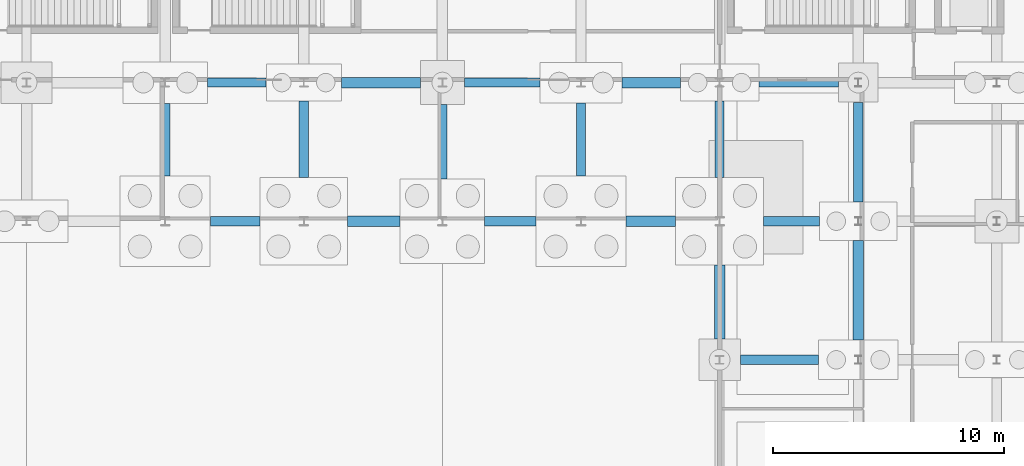
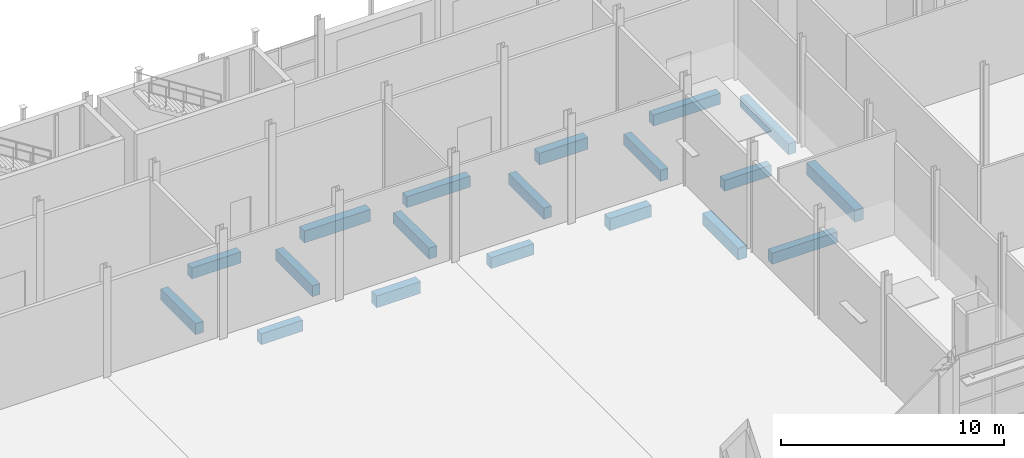
# One storey, part 46 of 120: 19 beams.
"""IFC4 building model written with IfcOpenShell, lengths in metres."""

from ifc_helpers import new_model, si_unit, direction, frame, origin, origin_2d, place, context, subcontext, project, spatial, rectangle, extrude, material, material_profile, profile_set, type_object, element, save


model = new_model("IFC4")

# Units and contexts
model_context = context("Model", 3, precision=1e-05, world=origin(), true_north=direction((0.0, 1.0)))
body_context = subcontext(model_context, "Body", "Model", "MODEL_VIEW")
ifc_project = project(units=[si_unit("LENGTHUNIT", "METRE"), si_unit("AREAUNIT", "SQUARE_METRE"), si_unit("VOLUMEUNIT", "CUBIC_METRE"), si_unit("PLANEANGLEUNIT", "RADIAN"), si_unit("MASSUNIT", "GRAM", prefix="KILO")], contexts=[model_context])

# Site, building, storey
site_placement = place(None, origin())
site = spatial("IfcSite", under=ifc_project, at=site_placement, CompositionType="ELEMENT")
building_placement = place(site_placement, origin())
building = spatial("IfcBuilding", under=site, at=building_placement, Name="Siltcreek Boulevard Central Fire Station", CompositionType="ELEMENT")
storey_placement = place(building_placement, origin())
storey = spatial("IfcBuildingStorey", under=building, at=storey_placement, Name="L01", CompositionType="ELEMENT", Elevation=0.0)

# Beams
ifc_material = material(Name="Concrete C35/45", Category="concrete")
ifc_material_profile_1 = material_profile(ifc_material, rectangle(XDim=0.39990234375, YDim=0.60009765625, at=origin_2d()), Name="RC400X600")
ifc_profile_set_1 = profile_set([ifc_material_profile_1], Name="Concrete C35/45")
beam_type_1 = type_object("IfcBeamType", Name="GB_RC400X600", PredefinedType="USERDEFINED", material=ifc_profile_set_1)
beam_1_placement = place(storey_placement, frame((90.902099609375, 36.0, -0.7099609375), z_axis=(1.0, 0.0, 0.0), x_axis=(0.0, 1.0, 0.0)))
element("IfcBeam", 1, at=beam_1_placement, inside=storey, type_object=beam_type_1, Name="Reinforced concrete tie grade beam GB-083", ObjectType="GRADE BEAM", PredefinedType="USERDEFINED", context=body_context, shape_type="SweptSolid", body=[
    extrude(rectangle(XDim=0.39990234375, YDim=0.60009765625, at=origin_2d()), origin(), (0.0, 0.0, 1.0), 3.370849609375),
])
beam_2_placement = place(storey_placement, frame((67.951904296875, 42.0, -0.7099609375), z_axis=(1.0, 0.0, 0.0), x_axis=(0.0, 1.0, 0.0)))
element("IfcBeam", 2, at=beam_2_placement, inside=storey, type_object=beam_type_1, Name="Reinforced concrete tie grade beam GB-097", ObjectType="GRADE BEAM", PredefinedType="USERDEFINED", context=body_context, shape_type="SweptSolid", body=[
    extrude(rectangle(XDim=0.39990234375, YDim=0.60009765625, at=origin_2d()), origin(), (0.0, 0.0, 1.0), 2.14599609375),
])
beam_3_placement = place(storey_placement, frame((79.826904296875, 42.0, -0.7099609375), z_axis=(1.0, 0.0, 0.0), x_axis=(0.0, 1.0, 0.0)))
element("IfcBeam", 3, at=beam_3_placement, inside=storey, type_object=beam_type_1, Name="Reinforced concrete tie grade beam GB-099", ObjectType="GRADE BEAM", PredefinedType="USERDEFINED", context=body_context, shape_type="SweptSolid", body=[
    extrude(rectangle(XDim=0.39990234375, YDim=0.60009765625, at=origin_2d()), origin(), (0.0, 0.0, 1.0), 2.22119140625),
])
beam_4_placement = place(storey_placement, frame((91.902099609375, 42.0, -0.7099609375), z_axis=(1.0, 0.0, 0.0), x_axis=(0.0, 1.0, 0.0)))
element("IfcBeam", 4, at=beam_4_placement, inside=storey, type_object=beam_type_1, Name="Reinforced concrete tie grade beam GB-101", ObjectType="GRADE BEAM", PredefinedType="USERDEFINED", context=body_context, shape_type="SweptSolid", body=[
    extrude(rectangle(XDim=0.39990234375, YDim=0.60009765625, at=origin_2d()), origin(), (0.0, 0.0, 1.0), 2.4208984375),
])
beam_5_placement = place(storey_placement, frame((67.826904296875, 48.0, -0.7099609375), z_axis=(1.0, 0.0, 0.0), x_axis=(0.0, 1.0, 0.0)))
element("IfcBeam", 5, at=beam_5_placement, inside=storey, type_object=beam_type_1, Name="Reinforced concrete tie grade beam GB-115", ObjectType="GRADE BEAM", PredefinedType="USERDEFINED", context=body_context, shape_type="SweptSolid", body=[
    extrude(rectangle(XDim=0.39990234375, YDim=0.60009765625, at=origin_2d()), origin(), (0.0, 0.0, 1.0), 2.546142578125),
])
beam_6_placement = place(storey_placement, frame((78.951904296875, 48.0, -0.7099609375), z_axis=(1.0, 0.0, 0.0), x_axis=(0.0, 1.0, 0.0)))
element("IfcBeam", 6, at=beam_6_placement, inside=storey, type_object=beam_type_1, Name="Reinforced concrete tie grade beam GB-117", ObjectType="GRADE BEAM", PredefinedType="USERDEFINED", context=body_context, shape_type="SweptSolid", body=[
    extrude(rectangle(XDim=0.39990234375, YDim=0.60009765625, at=origin_2d()), origin(), (0.0, 0.0, 1.0), 3.27099609375),
])
beam_7_placement = place(storey_placement, frame((91.701904296875, 48.0, -0.7099609375), z_axis=(1.0, 0.0, 0.0), x_axis=(0.0, 1.0, 0.0)))
element("IfcBeam", 7, at=beam_7_placement, inside=storey, type_object=beam_type_1, Name="Reinforced concrete tie grade beam GB-119", ObjectType="GRADE BEAM", PredefinedType="USERDEFINED", context=body_context, shape_type="SweptSolid", body=[
    extrude(rectangle(XDim=0.39990234375, YDim=0.60009765625, at=origin_2d()), origin(), (0.0, 0.0, 1.0), 3.446044921875),
])
beam_8_placement = place(storey_placement, frame((66.0, 43.951904296875, -0.7099609375), z_axis=(0.0, 1.0, 0.0), x_axis=(-1.0, 0.0, 0.0)))
element("IfcBeam", 8, at=beam_8_placement, inside=storey, type_object=beam_type_1, Name="Reinforced concrete tie grade beam GB-177", ObjectType="GRADE BEAM", PredefinedType="USERDEFINED", context=body_context, shape_type="SweptSolid", body=[
    extrude(rectangle(XDim=0.39990234375, YDim=0.60009765625, at=origin_2d()), origin(), (0.0, 0.0, 1.0), 3.14599609375),
])
beam_9_placement = place(storey_placement, frame((72.0, 43.902099609375, -0.7099609375), z_axis=(0.0, 1.0, 0.0), x_axis=(-1.0, 0.0, 0.0)))
element("IfcBeam", 9, at=beam_9_placement, inside=storey, type_object=beam_type_1, Name="Reinforced concrete tie grade beam GB-179", ObjectType="GRADE BEAM", PredefinedType="USERDEFINED", context=body_context, shape_type="SweptSolid", body=[
    extrude(rectangle(XDim=0.39990234375, YDim=0.60009765625, at=origin_2d()), origin(), (0.0, 0.0, 1.0), 3.2958984375),
])
beam_10_placement = place(storey_placement, frame((78.0, 43.826904296875, -0.7099609375), z_axis=(0.0, 1.0, 0.0), x_axis=(-1.0, 0.0, 0.0)))
element("IfcBeam", 10, at=beam_10_placement, inside=storey, type_object=beam_type_1, Name="Reinforced concrete tie grade beam GB-181", ObjectType="GRADE BEAM", PredefinedType="USERDEFINED", context=body_context, shape_type="SweptSolid", body=[
    extrude(rectangle(XDim=0.39990234375, YDim=0.60009765625, at=origin_2d()), origin(), (0.0, 0.0, 1.0), 3.22119140625),
])
beam_11_placement = place(storey_placement, frame((84.0, 43.951904296875, -0.7099609375), z_axis=(0.0, 1.0, 0.0), x_axis=(-1.0, 0.0, 0.0)))
element("IfcBeam", 11, at=beam_11_placement, inside=storey, type_object=beam_type_1, Name="Reinforced concrete tie grade beam GB-183", ObjectType="GRADE BEAM", PredefinedType="USERDEFINED", context=body_context, shape_type="SweptSolid", body=[
    extrude(rectangle(XDim=0.39990234375, YDim=0.60009765625, at=origin_2d()), origin(), (0.0, 0.0, 1.0), 3.171142578125),
])
beam_12_placement = place(storey_placement, frame((90.0, 43.902099609375, -0.7099609375), z_axis=(0.0, 1.0, 0.0), x_axis=(-1.0, 0.0, 0.0)))
element("IfcBeam", 12, at=beam_12_placement, inside=storey, type_object=beam_type_1, Name="Reinforced concrete tie grade beam GB-189", ObjectType="GRADE BEAM", PredefinedType="USERDEFINED", context=body_context, shape_type="SweptSolid", body=[
    extrude(rectangle(XDim=0.39990234375, YDim=0.60009765625, at=origin_2d()), origin(), (0.0, 0.0, 1.0), 3.2958984375),
])
beam_13_placement = place(storey_placement, frame((96.0, 42.826904296875, -0.7099609375), z_axis=(0.0, 1.0, 0.0), x_axis=(-1.0, 0.0, 0.0)))
element("IfcBeam", 13, at=beam_13_placement, inside=storey, type_object=beam_type_1, Name="Reinforced concrete tie grade beam GB-195", ObjectType="GRADE BEAM", PredefinedType="USERDEFINED", context=body_context, shape_type="SweptSolid", body=[
    extrude(rectangle(XDim=0.39990234375, YDim=0.60009765625, at=origin_2d()), origin(), (0.0, 0.0, 1.0), 4.321044921875),
])
ifc_material_profile_2 = material_profile(ifc_material, rectangle(XDim=0.449951171875, YDim=0.64990234375, at=origin_2d()), Name="RC450X650")
ifc_profile_set_2 = profile_set([ifc_material_profile_2], Name="Concrete C35/45")
beam_type_2 = type_object("IfcBeamType", Name="GB_RC450X650", PredefinedType="USERDEFINED", material=ifc_profile_set_2)
beam_14_placement = place(storey_placement, frame((73.902099609375, 42.0, -0.735107421875), z_axis=(1.0, 0.0, 0.0), x_axis=(0.0, 1.0, 0.0)))
element("IfcBeam", 14, at=beam_14_placement, inside=storey, type_object=beam_type_2, Name="Reinforced concrete tie grade beam GB-098", ObjectType="GRADE BEAM", PredefinedType="USERDEFINED", context=body_context, shape_type="SweptSolid", body=[
    extrude(rectangle(XDim=0.449951171875, YDim=0.64990234375, at=origin_2d()), origin(), (0.0, 0.0, 1.0), 2.27099609375),
])
beam_15_placement = place(storey_placement, frame((85.951904296875, 42.0, -0.735107421875), z_axis=(1.0, 0.0, 0.0), x_axis=(0.0, 1.0, 0.0)))
element("IfcBeam", 15, at=beam_15_placement, inside=storey, type_object=beam_type_2, Name="Reinforced concrete tie grade beam GB-100", ObjectType="GRADE BEAM", PredefinedType="USERDEFINED", context=body_context, shape_type="SweptSolid", body=[
    extrude(rectangle(XDim=0.449951171875, YDim=0.64990234375, at=origin_2d()), origin(), (0.0, 0.0, 1.0), 2.14599609375),
])
beam_16_placement = place(storey_placement, frame((73.626953125, 48.0, -0.735107421875), z_axis=(1.0, 0.0, 0.0), x_axis=(0.0, 1.0, 0.0)))
element("IfcBeam", 16, at=beam_16_placement, inside=storey, type_object=beam_type_2, Name="Reinforced concrete tie grade beam GB-116", ObjectType="GRADE BEAM", PredefinedType="USERDEFINED", context=body_context, shape_type="SweptSolid", body=[
    extrude(rectangle(XDim=0.449951171875, YDim=0.64990234375, at=origin_2d()), origin(), (0.0, 0.0, 1.0), 3.421142578125),
])
beam_17_placement = place(storey_placement, frame((85.777099609375, 48.0, -0.735107421875), z_axis=(1.0, 0.0, 0.0), x_axis=(0.0, 1.0, 0.0)))
element("IfcBeam", 17, at=beam_17_placement, inside=storey, type_object=beam_type_2, Name="Reinforced concrete tie grade beam GB-118", ObjectType="GRADE BEAM", PredefinedType="USERDEFINED", context=body_context, shape_type="SweptSolid", body=[
    extrude(rectangle(XDim=0.449951171875, YDim=0.64990234375, at=origin_2d()), origin(), (0.0, 0.0, 1.0), 2.52099609375),
])
beam_18_placement = place(storey_placement, frame((90.0, 36.902099609375, -0.735107421875), z_axis=(0.0, 1.0, 0.0), x_axis=(-1.0, 0.0, 0.0)))
element("IfcBeam", 18, at=beam_18_placement, inside=storey, type_object=beam_type_2, Name="Reinforced concrete tie grade beam GB-188", ObjectType="GRADE BEAM", PredefinedType="USERDEFINED", context=body_context, shape_type="SweptSolid", body=[
    extrude(rectangle(XDim=0.449951171875, YDim=0.64990234375, at=origin_2d()), origin(), (0.0, 0.0, 1.0), 3.19580078125),
])
beam_19_placement = place(storey_placement, frame((96.0, 36.85205078125, -0.735107421875), z_axis=(0.0, 1.0, 0.0), x_axis=(-1.0, 0.0, 0.0)))
element("IfcBeam", 19, at=beam_19_placement, inside=storey, type_object=beam_type_2, Name="Reinforced concrete tie grade beam GB-194", ObjectType="GRADE BEAM", PredefinedType="USERDEFINED", context=body_context, shape_type="SweptSolid", body=[
    extrude(rectangle(XDim=0.449951171875, YDim=0.64990234375, at=origin_2d()), origin(), (0.0, 0.0, 1.0), 4.321044921875),
])

save(model, "model.ifc")
